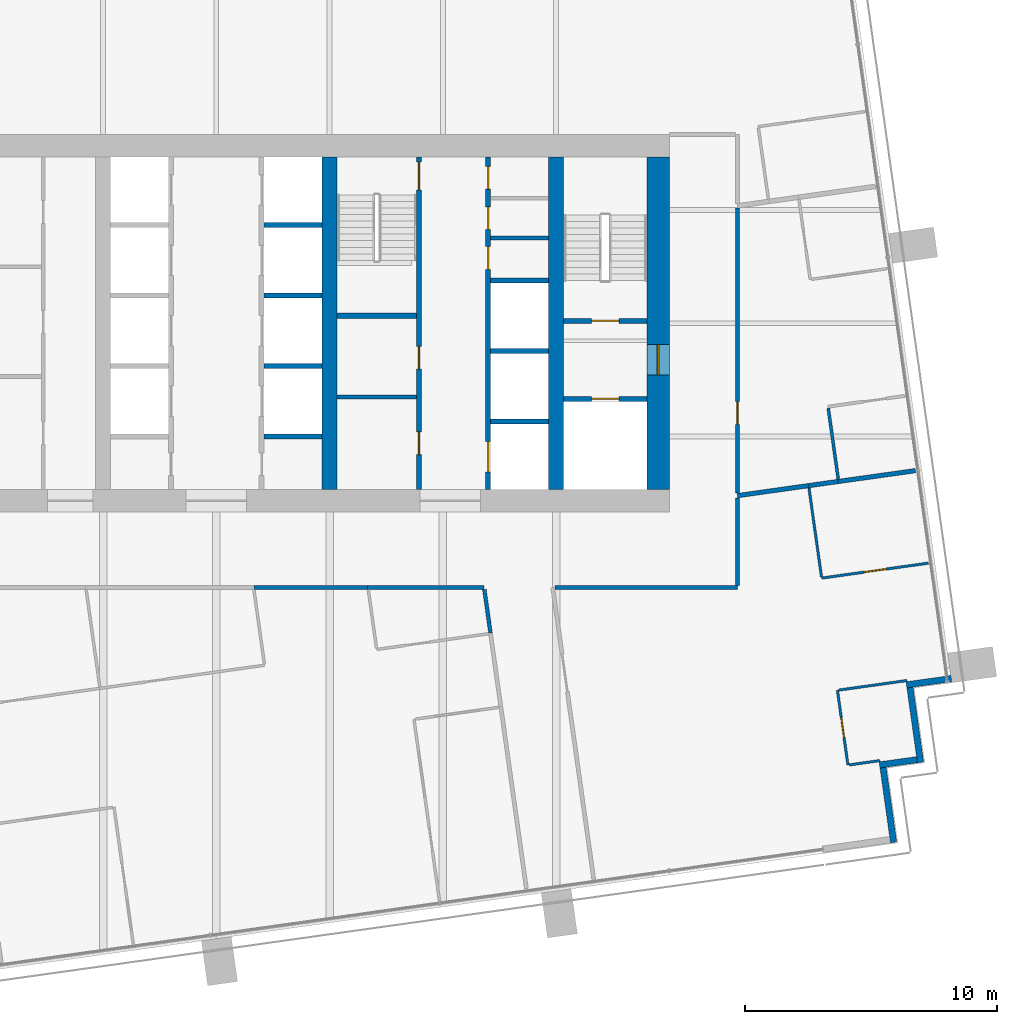
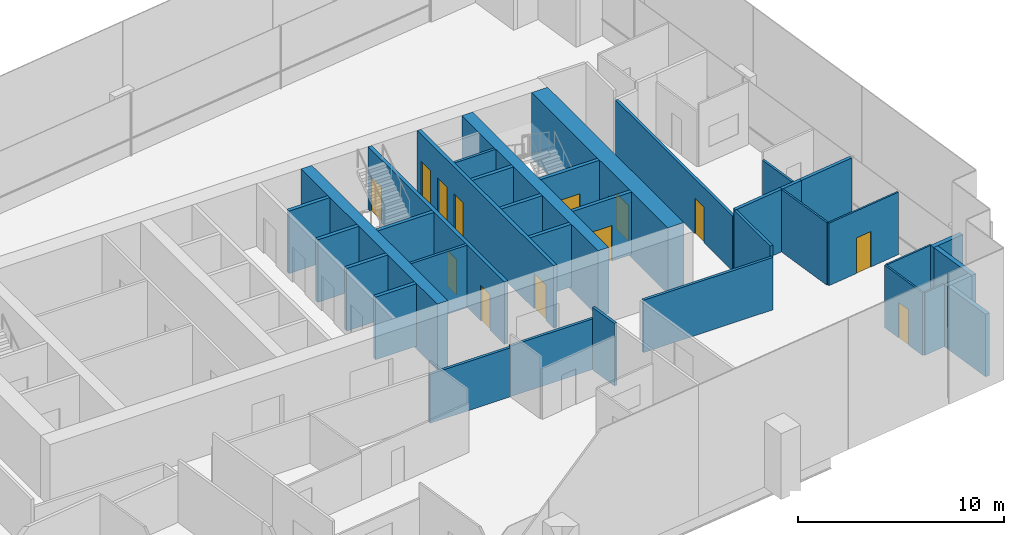
# One storey, part 11 of 17: 36 walls, 13 doors, 13 openings.
"""IFC4 building model written with IfcOpenShell, lengths in metres."""

from ifc_helpers import new_model, si_unit, direction, frame, frame_2d, origin, place, context, subcontext, project, spatial, rectangle, extrude, material, layer, layer_set, type_object, element, fill, save


model = new_model("IFC4")

# Units and contexts
model_context = context("Model", 3, precision=1e-05, world=origin(), true_north=direction((0.0, 1.0)))
body_context = subcontext(model_context, "Body", "Model", "MODEL_VIEW")
ifc_project = project(units=[si_unit("LENGTHUNIT", "METRE"), si_unit("AREAUNIT", "SQUARE_METRE"), si_unit("VOLUMEUNIT", "CUBIC_METRE"), si_unit("PLANEANGLEUNIT", "RADIAN"), si_unit("MASSUNIT", "GRAM", prefix="KILO")], contexts=[model_context])

# Site, building, storey
site_placement = place(None, origin())
site = spatial("IfcSite", under=ifc_project, at=site_placement, CompositionType="ELEMENT")
building_placement = place(site_placement, origin())
building = spatial("IfcBuilding", under=site, at=building_placement, Name="Rattan Terrace Tower", CompositionType="ELEMENT")
storey_placement = place(building_placement, frame((0.0, 0.0, 180.199951171875)))
storey = spatial("IfcBuildingStorey", under=building, at=storey_placement, Name="L41", CompositionType="ELEMENT", Elevation=180.199951171875)

# Walls
ifc_material_1 = material(Name="Gypsum board partition")
ifc_layer_1 = layer(ifc_material_1, 0.14990234375)
ifc_layer_set_1 = layer_set([ifc_layer_1], Name="Core partition 150")
wall_type_1 = type_object("IfcWallType", Name="Core partition 150", PredefinedType="PARTITIONING", material=ifc_layer_set_1)
wall_1_placement = place(storey_placement, frame((4.800048828125, -2.927978515625, 0.0), z_axis=(0.0, 0.0, 1.0), x_axis=(1.0, 0.0, 0.0)))
element("IfcWall", 1, at=wall_1_placement, inside=storey, type_object=wall_type_1, Name="Toilet wall", PredefinedType="PARTITIONING", context=body_context, shape_type="SweptSolid", body=[
    extrude(rectangle(XDim=3.14990234375, YDim=0.14990234375, at=frame_2d((1.574951171875, 0.0))), origin(), (0.0, 0.0, 1.0), 3.699951171875),
])
wall_2_placement = place(storey_placement, frame((10.89990234375, 3.384033203125, 0.0), z_axis=(0.0, 0.0, 1.0), x_axis=(1.0, 0.0, 0.0)))
element("IfcWall", 2, at=wall_2_placement, inside=storey, type_object=wall_type_1, Name="Riser room wall", PredefinedType="PARTITIONING", context=body_context, shape_type="SweptSolid", body=[
    extrude(rectangle(XDim=2.300048828125, YDim=0.14990234375, at=frame_2d((1.14990234375, 0.0))), origin(), (0.0, 0.0, 1.0), 3.699951171875),
])

# Wall, opening, door
ifc_material_2 = material(Name="Gypsum board partition")
ifc_layer_2 = layer(ifc_material_2, 0.199951171875)
ifc_layer_set_2 = layer_set([ifc_layer_2], Name="Core partition 200")
wall_type_2 = type_object("IfcWallType", Name="Core partition 200", PredefinedType="PARTITIONING", material=ifc_layer_set_2)
wall_3_placement = place(storey_placement, frame((13.800048828125, -3.0, 0.0), z_axis=(0.0, 0.0, 1.0), x_axis=(1.0, 0.0, 0.0)))
wall_3 = element("IfcWall", 3, at=wall_3_placement, inside=storey, type_object=wall_type_2, Name="Fire-fighting lobby wall", PredefinedType="PARTITIONING", context=body_context, shape_type="SweptSolid", body=[
    extrude(rectangle(XDim=3.300048828125, YDim=0.199951171875, at=frame_2d((1.64990234375, 0.0))), origin(), (0.0, 0.0, 1.0), 3.699951171875),
])
opening_1_placement = place(wall_3_placement, frame((1.10009765625, 0.0, 0.0)))
opening_1 = element("IfcOpeningElement", 4, at=opening_1_placement, cuts=wall_3, Name="Opening L41-LD-FF2", PredefinedType="OPENING", context=body_context, shape_type="SweptSolid", body=[
    extrude(rectangle(XDim=1.10009765625, YDim=2.10009765625, at=frame_2d((0.550048828125, 1.050048828125))), frame((0.0, 0.110595703125, 0.0), z_axis=(0.0, -1.0, 0.0), x_axis=(1.0, 0.0, 0.0)), (0.0, 0.0, 1.0), 0.220947265625),
])
ifc_material_3 = material(Name="Brushed stainless landing door panel")
door_type_1 = type_object("IfcDoorType", Name="Core lift landing door 1100", OperationType="DOUBLE_DOOR_SLIDING", PredefinedType="DOOR", material=ifc_material_3)
door_1_placement = place(opening_1_placement, origin())
door_1 = element("IfcDoor", 5, at=door_1_placement, inside=storey, type_object=door_type_1, Name="Door L41-LD-FF2", OperationType="DOUBLE_DOOR_SLIDING", OverallHeight=2.10009765625, OverallWidth=1.10009765625, PredefinedType="DOOR", context=body_context, shape_type="SweptSolid", body=[
    extrude(rectangle(XDim=1.10009765625, YDim=2.10009765625, at=frame_2d((0.550048828125, 1.050048828125))), frame((0.0, 0.02490234375, 0.0), z_axis=(0.0, -1.0, 0.0), x_axis=(1.0, 0.0, 0.0)), (0.0, 0.0, 1.0), 0.050048828125),
])
fill(opening_1, door_1)

wall_4_placement = place(storey_placement, frame((13.800048828125, 0.10009765625, 0.0), z_axis=(0.0, 0.0, 1.0), x_axis=(1.0, 0.0, 0.0)))
wall_4 = element("IfcWall", 6, at=wall_4_placement, inside=storey, type_object=wall_type_2, Name="Stair enclosure wall", PredefinedType="PARTITIONING", context=body_context, shape_type="SweptSolid", body=[
    extrude(rectangle(XDim=3.300048828125, YDim=0.199951171875, at=frame_2d((1.64990234375, 0.0))), origin(), (0.0, 0.0, 1.0), 3.699951171875),
])
opening_2_placement = place(wall_4_placement, frame((1.10009765625, 0.0, 0.0)))
opening_2 = element("IfcOpeningElement", 7, at=opening_2_placement, cuts=wall_4, Name="Opening L41-D004", PredefinedType="OPENING", context=body_context, shape_type="SweptSolid", body=[
    extrude(rectangle(XDim=1.10009765625, YDim=2.10009765625, at=frame_2d((0.550048828125, 1.050048828125))), frame((0.0, 0.110595703125, 0.0), z_axis=(0.0, -1.0, 0.0), x_axis=(1.0, 0.0, 0.0)), (0.0, 0.0, 1.0), 0.220947265625),
])
ifc_material_4 = material(Name="Hollow-metal fire door leaf")
door_type_2 = type_object("IfcDoorType", Name="Core stair door 1100", OperationType="NOTDEFINED", PredefinedType="DOOR", material=ifc_material_4)
door_2_placement = place(opening_2_placement, origin())
door_2 = element("IfcDoor", 8, at=door_2_placement, inside=storey, type_object=door_type_2, Name="Door L41-D004", OperationType="SINGLE_SWING_RIGHT", OverallHeight=2.10009765625, OverallWidth=1.10009765625, PredefinedType="DOOR", context=body_context, shape_type="SweptSolid", body=[
    extrude(rectangle(XDim=1.10009765625, YDim=2.10009765625, at=frame_2d((0.550048828125, 1.050048828125))), frame((0.0, 0.02490234375, 0.0), z_axis=(0.0, -1.0, 0.0), x_axis=(1.0, 0.0, 0.0)), (0.0, 0.0, 1.0), 0.050048828125),
])
fill(opening_2, door_2)

# Wall, openings, doors
wall_5_placement = place(storey_placement, frame((8.050048828125, -6.60009765625, 0.0), z_axis=(0.0, 0.0, 1.0), x_axis=(0.0, 1.0, 0.0)))
wall_5 = element("IfcWall", 9, at=wall_5_placement, inside=storey, type_object=wall_type_2, Name="Lobby wall west", PredefinedType="PARTITIONING", context=body_context, shape_type="SweptSolid", body=[
    extrude(rectangle(XDim=13.2001953125, YDim=0.199951171875, at=frame_2d((6.60009765625, 0.0))), origin(), (0.0, 0.0, 1.0), 3.699951171875),
])
opening_3_placement = place(wall_5_placement, frame((1.385986328125, 0.0, 0.0)))
opening_3 = element("IfcOpeningElement", 10, at=opening_3_placement, cuts=wall_5, Name="Opening L41-D012", PredefinedType="OPENING", context=body_context, shape_type="SweptSolid", body=[
    extrude(rectangle(XDim=0.89990234375, YDim=2.10009765625, at=frame_2d((0.449951171875, 1.050048828125))), frame((0.0, 0.110595703125, 0.0), z_axis=(0.0, -1.0, 0.0), x_axis=(1.0, 0.0, 0.0)), (0.0, 0.0, 1.0), 0.220947265625),
])
opening_4_placement = place(wall_5_placement, frame((4.785888671875, 0.0, 0.0)))
opening_4 = element("IfcOpeningElement", 11, at=opening_4_placement, cuts=wall_5, Name="Opening L41-D013", PredefinedType="OPENING", context=body_context, shape_type="SweptSolid", body=[
    extrude(rectangle(XDim=0.89990234375, YDim=2.10009765625, at=frame_2d((0.449951171875, 1.050048828125))), frame((0.0, 0.110595703125, 0.0), z_axis=(0.0, -1.0, 0.0), x_axis=(1.0, 0.0, 0.0)), (0.0, 0.0, 1.0), 0.220947265625),
])
opening_5_placement = place(wall_5_placement, frame((11.89990234375, 0.0, 0.0)))
opening_5 = element("IfcOpeningElement", 12, at=opening_5_placement, cuts=wall_5, Name="Opening L41-D014", PredefinedType="OPENING", context=body_context, shape_type="SweptSolid", body=[
    extrude(rectangle(XDim=1.10009765625, YDim=2.10009765625, at=frame_2d((0.550048828125, 1.050048828125))), frame((0.0, 0.110595703125, 0.0), z_axis=(0.0, -1.0, 0.0), x_axis=(1.0, 0.0, 0.0)), (0.0, 0.0, 1.0), 0.220947265625),
])
door_3_placement = place(opening_5_placement, origin())
door_3 = element("IfcDoor", 13, at=door_3_placement, inside=storey, type_object=door_type_2, Name="Door L41-D014", OperationType="SINGLE_SWING_LEFT", OverallHeight=2.10009765625, OverallWidth=1.10009765625, PredefinedType="DOOR", context=body_context, shape_type="SweptSolid", body=[
    extrude(rectangle(XDim=1.10009765625, YDim=2.10009765625, at=frame_2d((0.550048828125, 1.050048828125))), frame((0.0, 0.02490234375, 0.0), z_axis=(0.0, -1.0, 0.0), x_axis=(1.0, 0.0, 0.0)), (0.0, 0.0, 1.0), 0.050048828125),
])
fill(opening_5, door_3)
ifc_material_5 = material(Name="Hollow-metal fire door leaf")
door_type_3 = type_object("IfcDoorType", Name="Core toilet door 900", OperationType="NOTDEFINED", PredefinedType="DOOR", material=ifc_material_5)
door_4_placement = place(opening_3_placement, origin())
door_4 = element("IfcDoor", 14, at=door_4_placement, inside=storey, type_object=door_type_3, Name="Door L41-D012", OperationType="SINGLE_SWING_LEFT", OverallHeight=2.10009765625, OverallWidth=0.89990234375, PredefinedType="DOOR", context=body_context, shape_type="SweptSolid", body=[
    extrude(rectangle(XDim=0.89990234375, YDim=2.10009765625, at=frame_2d((0.449951171875, 1.050048828125))), frame((0.0, 0.02490234375, 0.0), z_axis=(0.0, -1.0, 0.0), x_axis=(1.0, 0.0, 0.0)), (0.0, 0.0, 1.0), 0.050048828125),
])
fill(opening_3, door_4)
door_5_placement = place(opening_4_placement, origin())
door_5 = element("IfcDoor", 15, at=door_5_placement, inside=storey, type_object=door_type_3, Name="Door L41-D013", OperationType="SINGLE_SWING_RIGHT", OverallHeight=2.10009765625, OverallWidth=0.89990234375, PredefinedType="DOOR", context=body_context, shape_type="SweptSolid", body=[
    extrude(rectangle(XDim=0.89990234375, YDim=2.10009765625, at=frame_2d((0.449951171875, 1.050048828125))), frame((0.0, 0.02490234375, 0.0), z_axis=(0.0, -1.0, 0.0), x_axis=(1.0, 0.0, 0.0)), (0.0, 0.0, 1.0), 0.050048828125),
])
fill(opening_4, door_5)

# Wall
wall_6_placement = place(storey_placement, frame((4.800048828125, 0.300048828125, 0.0), z_axis=(0.0, 0.0, 1.0), x_axis=(1.0, 0.0, 0.0)))
element("IfcWall", 16, at=wall_6_placement, inside=storey, type_object=wall_type_2, Name="Stair enclosure wall", PredefinedType="PARTITIONING", context=body_context, shape_type="SweptSolid", body=[
    extrude(rectangle(XDim=3.14990234375, YDim=0.199951171875, at=frame_2d((1.574951171875, 0.0))), origin(), (0.0, 0.0, 1.0), 3.699951171875),
])

# Wall, opening, door
ifc_material_6 = material(Name="Concrete C60/75", Category="concrete")
ifc_layer_3 = layer(ifc_material_6, 0.89990234375)
ifc_layer_set_3 = layer_set([ifc_layer_3], Name="Core ring wall 900 C60/75")
wall_type_3 = type_object("IfcWallType", Name="Core ring wall 900 C60/75", PredefinedType="SHEAR", material=ifc_layer_set_3)
wall_7_placement = place(storey_placement, frame((17.550048828125, -6.60009765625, -0.199951171875), z_axis=(0.0, 0.0, 1.0), x_axis=(0.0, 1.0, 0.0)))
wall_7 = element("IfcWall", 17, at=wall_7_placement, inside=storey, type_object=wall_type_3, Name="Rear core wall east", PredefinedType="SHEAR", context=body_context, shape_type="SweptSolid", body=[
    extrude(rectangle(XDim=13.2001953125, YDim=0.89990234375, at=frame_2d((6.60009765625, 0.0))), origin(), (0.0, 0.0, 1.0), 3.89990234375),
])
opening_6_placement = place(wall_7_placement, frame((4.550048828125, 0.0, 0.199951171875)))
opening_6 = element("IfcOpeningElement", 18, at=opening_6_placement, cuts=wall_7, Name="Opening L41-D003", PredefinedType="OPENING", context=body_context, shape_type="SweptSolid", body=[
    extrude(rectangle(XDim=1.199951171875, YDim=2.10009765625, at=frame_2d((0.60009765625, 1.050048828125))), frame((0.0, 0.46044921875, 0.0), z_axis=(0.0, -1.0, 0.0), x_axis=(1.0, 0.0, 0.0)), (0.0, 0.0, 1.0), 0.9208984375),
])
ifc_material_7 = material(Name="Hollow-metal fire door leaf")
door_type_4 = type_object("IfcDoorType", Name="Core fire-fighting lobby door 1200", OperationType="NOTDEFINED", PredefinedType="DOOR", material=ifc_material_7)
door_6_placement = place(opening_6_placement, origin())
door_6 = element("IfcDoor", 19, at=door_6_placement, inside=storey, type_object=door_type_4, Name="Door L41-D003", OperationType="SINGLE_SWING_LEFT", OverallHeight=2.10009765625, OverallWidth=1.199951171875, PredefinedType="DOOR", context=body_context, shape_type="SweptSolid", body=[
    extrude(rectangle(XDim=1.199951171875, YDim=2.10009765625, at=frame_2d((0.60009765625, 1.050048828125))), frame((0.0, 0.02490234375, 0.0), z_axis=(0.0, -1.0, 0.0), x_axis=(1.0, 0.0, 0.0)), (0.0, 0.0, 1.0), 0.050048828125),
])
fill(opening_6, door_6)

# Walls
ifc_material_8 = material(Name="Concrete C60/75", Category="concrete")
ifc_layer_4 = layer(ifc_material_8, 0.60009765625)
ifc_layer_set_4 = layer_set([ifc_layer_4], Name="Core spine wall 600 C60/75")
wall_type_4 = type_object("IfcWallType", Name="Core spine wall 600 C60/75", PredefinedType="SHEAR", material=ifc_layer_set_4)
for number, where, z_axis, x_axis, name in (
    (20, (4.5, -6.60009765625, -0.199951171875), (0.0, 0.0, 1.0), (0.0, 1.0, 0.0), "Core spine wall 3"),
    (21, (13.5, -6.60009765625, -0.199951171875), (0.0, 0.0, 1.0), (0.0, 1.0, 0.0), "Core spine wall 4"),
):
    element("IfcWall", number, at=place(storey_placement, frame(where, z_axis=z_axis, x_axis=x_axis)), inside=storey, type_object=wall_type_4, Name=name, PredefinedType="SHEAR", context=body_context, shape_type="SweptSolid", body=[
        extrude(rectangle(XDim=13.2001953125, YDim=0.60009765625, at=frame_2d((6.60009765625, 0.0))), origin(), (0.0, 0.0, 1.0), 3.89990234375),
    ])
ifc_material_9 = material(Name="Insulated aluminium-clad stud wall", Category="aluminium")
ifc_layer_5 = layer(ifc_material_9, 0.25)
ifc_layer_set_5 = layer_set([ifc_layer_5], Name="Facade Riser Wall 250")
wall_type_5 = type_object("IfcWallType", Name="Facade Riser Wall 250", PredefinedType="SOLIDWALL", material=ifc_layer_set_5)
wall_8_placement = place(storey_placement, frame((26.9052734375, -20.6220703125, 0.0), z_axis=(0.0, 0.0, 1.0), x_axis=(-0.139313431826, 0.990248336385, 0.0)))
element("IfcWall", 22, at=wall_8_placement, inside=storey, type_object=wall_type_5, Name="Riser wall L41-2", PredefinedType="SOLIDWALL", context=body_context, shape_type="SweptSolid", body=[
    extrude(rectangle(XDim=3.000244140625, YDim=0.25, at=frame_2d((1.5, 0.0))), origin(), (0.0, 0.0, 1.0), 3.699951171875),
])
wall_9_placement = place(storey_placement, frame((26.34619140625, -17.54443359375, 0.0), z_axis=(0.0, 0.0, 1.0), x_axis=(0.990368090482, 0.13845954411, 0.0)))
element("IfcWall", 23, at=wall_9_placement, inside=storey, type_object=wall_type_5, Name="Riser wall L41-3", PredefinedType="SOLIDWALL", context=body_context, shape_type="SweptSolid", body=[
    extrude(rectangle(XDim=1.50048828125, YDim=0.25, at=frame_2d((0.750244140625, 0.0))), origin(), (0.0, 0.0, 1.0), 3.699951171875),
])
wall_10_placement = place(storey_placement, frame((27.973388671875, -17.443115234375, 0.0), z_axis=(0.0, 0.0, 1.0), x_axis=(-0.139313431826, 0.990248336385, 0.0)))
element("IfcWall", 24, at=wall_10_placement, inside=storey, type_object=wall_type_5, Name="Riser wall L41-4", PredefinedType="SOLIDWALL", context=body_context, shape_type="SweptSolid", body=[
    extrude(rectangle(XDim=3.000244140625, YDim=0.25, at=frame_2d((1.5, 0.0))), origin(), (0.0, 0.0, 1.0), 3.699951171875),
])
wall_11_placement = place(storey_placement, frame((27.414306640625, -14.36572265625, 0.0), z_axis=(0.0, 0.0, 1.0), x_axis=(0.990256286673, 0.139256908998, 0.0)))
element("IfcWall", 25, at=wall_11_placement, inside=storey, type_object=wall_type_5, Name="Riser wall L41-5", PredefinedType="SOLIDWALL", context=body_context, shape_type="SweptSolid", body=[
    extrude(rectangle(XDim=1.800537109375, YDim=0.25, at=frame_2d((0.900390625, 0.0))), origin(), (0.0, 0.0, 1.0), 3.699951171875),
])
ifc_material_10 = material(Name="Double steel stud acoustic partition, gypsum board, mineral wool, fire rated", Category="steel")
ifc_layer_6 = layer(ifc_material_10, 0.179931640625)
ifc_layer_set_6 = layer_set([ifc_layer_6], Name="Floors Acoustic Party Wall 180")
wall_type_6 = type_object("IfcWallType", Name="Floors Acoustic Party Wall 180", PredefinedType="PARTITIONING", material=ifc_layer_set_6)
wall_12_placement = place(storey_placement, frame((20.699951171875, -6.846923828125, 0.0), z_axis=(0.0, 0.0, 1.0), x_axis=(0.990258051292, 0.139244360214, 0.0)))
element("IfcWall", 26, at=wall_12_placement, inside=storey, type_object=wall_type_6, Name="pt-L41-036", PredefinedType="PARTITIONING", context=body_context, shape_type="SweptSolid", body=[
    extrude(rectangle(XDim=2.85791015625, YDim=0.179931640625, at=frame_2d((1.428955078125, 0.0))), origin(), (0.0, 0.0, 1.0), 3.699951171875),
])
wall_13_placement = place(storey_placement, frame((23.530029296875, -6.448974609375, 0.0), z_axis=(0.0, 0.0, 1.0), x_axis=(0.990293977152, 0.138988628372, 0.0)))
element("IfcWall", 27, at=wall_13_placement, inside=storey, type_object=wall_type_6, Name="pt-L41-037", PredefinedType="PARTITIONING", context=body_context, shape_type="SweptSolid", body=[
    extrude(rectangle(XDim=1.180419921875, YDim=0.179931640625, at=frame_2d((0.59033203125, 0.0))), origin(), (0.0, 0.0, 1.0), 3.699951171875),
])
wall_14_placement = place(storey_placement, frame((24.698974609375, -6.284912109375, 0.0), z_axis=(0.0, 0.0, 1.0), x_axis=(0.990293026317, 0.138995402899, 0.0)))
element("IfcWall", 28, at=wall_14_placement, inside=storey, type_object=wall_type_6, Name="pt-L41-038", PredefinedType="PARTITIONING", context=body_context, shape_type="SweptSolid", body=[
    extrude(rectangle(XDim=3.10009765625, YDim=0.179931640625, at=frame_2d((1.550048828125, 0.0))), origin(), (0.0, 0.0, 1.0), 3.699951171875),
])

# Wall, opening, door
ifc_material_11 = material(Name="Gypsum board partition on steel studs", Category="steel")
ifc_layer_7 = layer(ifc_material_11, 0.10009765625)
ifc_layer_set_7 = layer_set([ifc_layer_7], Name="Floors Partition 100")
wall_type_7 = type_object("IfcWallType", Name="Floors Partition 100", PredefinedType="PARTITIONING", material=ifc_layer_set_7)
wall_15_placement = place(storey_placement, frame((24.673095703125, -14.5791015625, 0.0), z_axis=(0.0, 0.0, 1.0), x_axis=(0.138994228812, -0.990293191109, 0.0)))
wall_15 = element("IfcWall", 29, at=wall_15_placement, inside=storey, type_object=wall_type_7, Name="pt-L41-031", PredefinedType="PARTITIONING", context=body_context, shape_type="SweptSolid", body=[
    extrude(rectangle(XDim=3.0, YDim=0.10009765625, at=frame_2d((1.5, 0.0))), origin(), (0.0, 0.0, 1.0), 3.699951171875),
])
opening_7_placement = place(wall_15_placement, frame((1.10009765625, 0.0, 0.0)))
opening_7 = element("IfcOpeningElement", 30, at=opening_7_placement, cuts=wall_15, Name="Opening L41-D104", PredefinedType="OPENING", context=body_context, shape_type="SweptSolid", body=[
    extrude(rectangle(XDim=0.800048828125, YDim=2.10009765625, at=frame_2d((0.39990234375, 1.050048828125))), frame((0.0, 0.060546875, 0.0), z_axis=(0.0, -1.0, 0.0), x_axis=(1.0, 0.0, 0.0)), (0.0, 0.0, 1.0), 0.12109375),
])
ifc_material_12 = material(Name="Solid core timber door, painted", Category="wood")
door_type_5 = type_object("IfcDoorType", Name="Floors Store Door 800x2100", OperationType="NOTDEFINED", PredefinedType="DOOR", material=ifc_material_12)
door_7_placement = place(opening_7_placement, origin())
door_7 = element("IfcDoor", 31, at=door_7_placement, inside=storey, type_object=door_type_5, Name="d-L41-104", OperationType="SINGLE_SWING_LEFT", OverallHeight=2.10009765625, OverallWidth=0.800048828125, PredefinedType="DOOR", context=body_context, shape_type="SweptSolid", body=[
    extrude(rectangle(XDim=0.800048828125, YDim=2.10009765625, at=frame_2d((0.39990234375, 1.050048828125))), frame((0.0, 0.02490234375, 0.0), z_axis=(0.0, -1.0, 0.0), x_axis=(1.0, 0.0, 0.0)), (0.0, 0.0, 1.0), 0.050048828125),
])
fill(opening_7, door_7)

# Walls
wall_16_placement = place(storey_placement, frame((25.139892578125, -17.5439453125, 0.0), z_axis=(0.0, 0.0, 1.0), x_axis=(0.990174663817, 0.139836100968, 0.0)))
element("IfcWall", 32, at=wall_16_placement, inside=storey, type_object=wall_type_7, Name="pt-L41-032", PredefinedType="PARTITIONING", context=body_context, shape_type="SweptSolid", body=[
    extrude(rectangle(XDim=1.22900390625, YDim=0.10009765625, at=frame_2d((0.614501953125, 0.0))), origin(), (0.0, 0.0, 1.0), 3.699951171875),
])
wall_17_placement = place(storey_placement, frame((27.445068359375, -14.18994140625, 0.0), z_axis=(0.0, 0.0, 1.0), x_axis=(-0.990299764824, -0.138947384969, 0.0)))
element("IfcWall", 33, at=wall_17_placement, inside=storey, type_object=wall_type_7, Name="pt-L41-033", PredefinedType="PARTITIONING", context=body_context, shape_type="SweptSolid", body=[
    extrude(rectangle(XDim=2.749755859375, YDim=0.10009765625, at=frame_2d((1.375, 0.0))), origin(), (0.0, 0.0, 1.0), 3.699951171875),
])
wall_18_placement = place(storey_placement, frame((23.5419921875, -6.5380859375, 0.0), z_axis=(0.0, 0.0, 1.0), x_axis=(0.139477964322, -0.990225175134, 0.0)))
element("IfcWall", 34, at=wall_18_placement, inside=storey, type_object=wall_type_7, Name="pt-L41-034", PredefinedType="PARTITIONING", context=body_context, shape_type="SweptSolid", body=[
    extrude(rectangle(XDim=3.57080078125, YDim=0.10009765625, at=frame_2d((1.785400390625, 0.0))), origin(), (0.0, 0.0, 1.0), 3.699951171875),
])

# Wall, opening, door
wall_19_placement = place(storey_placement, frame((24.047119140625, -10.123046875, 0.0), z_axis=(0.0, 0.0, 1.0), x_axis=(0.990283364174, 0.139064224876, 0.0)))
wall_19 = element("IfcWall", 35, at=wall_19_placement, inside=storey, type_object=wall_type_7, Name="pt-L41-035", PredefinedType="PARTITIONING", context=body_context, shape_type="SweptSolid", body=[
    extrude(rectangle(XDim=4.2783203125, YDim=0.10009765625, at=frame_2d((2.13916015625, 0.0))), origin(), (0.0, 0.0, 1.0), 3.699951171875),
])
opening_8_placement = place(wall_19_placement, frame((1.68896484375, 0.0, 0.0)))
opening_8 = element("IfcOpeningElement", 36, at=opening_8_placement, cuts=wall_19, Name="Opening L41-D105", PredefinedType="OPENING", context=body_context, shape_type="SweptSolid", body=[
    extrude(rectangle(XDim=0.89990234375, YDim=2.10009765625, at=frame_2d((0.449951171875, 1.050048828125))), frame((0.0, 0.060546875, 0.0), z_axis=(0.0, -1.0, 0.0), x_axis=(1.0, 0.0, 0.0)), (0.0, 0.0, 1.0), 0.12109375),
])
ifc_material_13 = material(Name="Solid core timber door, painted", Category="wood")
door_type_6 = type_object("IfcDoorType", Name="Floors Door 900x2100", OperationType="NOTDEFINED", PredefinedType="DOOR", material=ifc_material_13)
door_8_placement = place(opening_8_placement, origin())
door_8 = element("IfcDoor", 37, at=door_8_placement, inside=storey, type_object=door_type_6, Name="d-L41-105", OperationType="SINGLE_SWING_RIGHT", OverallHeight=2.10009765625, OverallWidth=0.89990234375, PredefinedType="DOOR", context=body_context, shape_type="SweptSolid", body=[
    extrude(rectangle(XDim=0.89990234375, YDim=2.10009765625, at=frame_2d((0.449951171875, 1.050048828125))), frame((0.0, 0.02490234375, 0.0), z_axis=(0.0, -1.0, 0.0), x_axis=(1.0, 0.0, 0.0)), (0.0, 0.0, 1.0), 0.050048828125),
])
fill(opening_8, door_8)

# Walls
ifc_material_14 = material(Name="Gypsum board partition on steel studs, fire rated", Category="steel")
ifc_layer_8 = layer(ifc_material_14, 0.14990234375)
ifc_layer_set_8 = layer_set([ifc_layer_8], Name="Floors Tenancy Wall 150")
wall_type_8 = type_object("IfcWallType", Name="Floors Tenancy Wall 150", PredefinedType="PARTITIONING", material=ifc_layer_set_8)
wall_20_placement = place(storey_placement, frame((20.699951171875, -10.5, 0.0), z_axis=(0.0, 0.0, 1.0), x_axis=(-1.0, 0.0, 0.0)))
element("IfcWall", 38, at=wall_20_placement, inside=storey, type_object=wall_type_8, Name="pt-L41-005", PredefinedType="PARTITIONING", context=body_context, shape_type="SweptSolid", body=[
    extrude(rectangle(XDim=7.2509765625, YDim=0.14990234375, at=frame_2d((3.62548828125, 0.0))), origin(), (0.0, 0.0, 1.0), 3.10009765625),
])
wall_21_placement = place(storey_placement, frame((20.699951171875, -6.93603515625, 0.0), z_axis=(0.0, 0.0, 1.0), x_axis=(0.0, -1.0, 0.0)))
element("IfcWall", 39, at=wall_21_placement, inside=storey, type_object=wall_type_8, Name="pt-L41-006", PredefinedType="PARTITIONING", context=body_context, shape_type="SweptSolid", body=[
    extrude(rectangle(XDim=3.489013671875, YDim=0.14990234375, at=frame_2d((1.74462890625, 0.0))), origin(), (0.0, 0.0, 1.0), 3.699951171875),
])

# Wall, opening, door
wall_22_placement = place(storey_placement, frame((20.699951171875, 4.575927734375, 0.0), z_axis=(0.0, 0.0, 1.0), x_axis=(0.0, -1.0, 0.0)))
wall_22 = element("IfcWall", 40, at=wall_22_placement, inside=storey, type_object=wall_type_8, Name="pt-L41-010", PredefinedType="PARTITIONING", context=body_context, shape_type="SweptSolid", body=[
    extrude(rectangle(XDim=11.322021484375, YDim=0.14990234375, at=frame_2d((5.6611328125, 0.0))), origin(), (0.0, 0.0, 1.0), 3.25),
])
opening_9_placement = place(wall_22_placement, frame((7.69091796875, 0.0, 0.0)))
opening_9 = element("IfcOpeningElement", 41, at=opening_9_placement, cuts=wall_22, Name="Opening L41-D107", PredefinedType="OPENING", context=body_context, shape_type="SweptSolid", body=[
    extrude(rectangle(XDim=0.89990234375, YDim=2.10009765625, at=frame_2d((0.449951171875, 1.050048828125))), frame((0.0, 0.08544921875, 0.0), z_axis=(0.0, -1.0, 0.0), x_axis=(1.0, 0.0, 0.0)), (0.0, 0.0, 1.0), 0.1708984375),
])
ifc_material_15 = material(Name="Steel fire door set", Category="steel")
door_type_7 = type_object("IfcDoorType", Name="Floors Fire Door FD30S 900x2100", OperationType="NOTDEFINED", PredefinedType="DOOR", material=ifc_material_15)
door_9_placement = place(opening_9_placement, origin())
door_9 = element("IfcDoor", 42, at=door_9_placement, inside=storey, type_object=door_type_7, Name="d-L41-107", OperationType="SINGLE_SWING_RIGHT", OverallHeight=2.10009765625, OverallWidth=0.89990234375, PredefinedType="DOOR", context=body_context, shape_type="SweptSolid", body=[
    extrude(rectangle(XDim=0.89990234375, YDim=2.10009765625, at=frame_2d((0.449951171875, 1.050048828125))), frame((0.0, 0.02490234375, 0.0), z_axis=(0.0, -1.0, 0.0), x_axis=(1.0, 0.0, 0.0)), (0.0, 0.0, 1.0), 0.050048828125),
])
fill(opening_9, door_9)

# Walls
wall_23_placement = place(storey_placement, frame((6.006103515625, -10.5, 0.0), z_axis=(0.0, 0.0, 1.0), x_axis=(-1.0, 0.0, 0.0)))
element("IfcWall", 43, at=wall_23_placement, inside=storey, type_object=wall_type_8, Name="pt-L41-016", PredefinedType="PARTITIONING", context=body_context, shape_type="SweptSolid", body=[
    extrude(rectangle(XDim=4.504150390625, YDim=0.14990234375, at=frame_2d((2.251953125, 0.0))), origin(), (0.0, 0.0, 1.0), 2.900146484375),
])
wall_24_placement = place(storey_placement, frame((10.636962890625, -10.5, 0.0), z_axis=(0.0, 0.0, 1.0), x_axis=(-1.0, 0.0, 0.0)))
element("IfcWall", 44, at=wall_24_placement, inside=storey, type_object=wall_type_8, Name="pt-L41-023", PredefinedType="PARTITIONING", context=body_context, shape_type="SweptSolid", body=[
    extrude(rectangle(XDim=4.630859375, YDim=0.14990234375, at=frame_2d((2.3154296875, 0.0))), origin(), (0.0, 0.0, 1.0), 3.0),
])
wall_25_placement = place(storey_placement, frame((10.89111328125, -12.301025390625, 0.0), z_axis=(0.0, 0.0, 1.0), x_axis=(-0.139344862723, 0.990243914009, 0.0)))
element("IfcWall", 45, at=wall_25_placement, inside=storey, type_object=wall_type_8, Name="pt-L41-024", PredefinedType="PARTITIONING", context=body_context, shape_type="SweptSolid", body=[
    extrude(rectangle(XDim=1.7451171875, YDim=0.14990234375, at=frame_2d((0.87255859375, 0.0))), origin(), (0.0, 0.0, 1.0), 3.699951171875),
])
ifc_material_16 = material(Name="Moisture resistant gypsum board partition on steel studs with service cavity", Category="steel")
ifc_layer_9 = layer(ifc_material_16, 0.1201171875)
ifc_layer_set_9 = layer_set([ifc_layer_9], Name="Floors Wet Wall 120")
wall_type_9 = type_object("IfcWallType", Name="Floors Wet Wall 120", PredefinedType="PARTITIONING", material=ifc_layer_set_9)
wall_26_placement = place(storey_placement, frame((24.30908203125, -3.37109375, 0.0), z_axis=(0.0, 0.0, 1.0), x_axis=(0.139298147854, -0.990250486495, 0.0)))
element("IfcWall", 46, at=wall_26_placement, inside=storey, type_object=wall_type_9, Name="pt-L41-040", PredefinedType="PARTITIONING", context=body_context, shape_type="SweptSolid", body=[
    extrude(rectangle(XDim=2.849853515625, YDim=0.1201171875, at=frame_2d((1.4248046875, 0.0))), origin(), (0.0, 0.0, 1.0), 3.25),
])
ifc_material_17 = material(Name="Gypsum shaft wall system")
ifc_layer_10 = layer(ifc_material_17, 0.199951171875)
ifc_layer_set_10 = layer_set([ifc_layer_10], Name="Lift shaft wall 200")
wall_type_10 = type_object("IfcWallType", Name="Lift shaft wall 200", PredefinedType="PARTITIONING", material=ifc_layer_set_10)
for number, where, z_axis, x_axis, name in (
    (47, (1.89990234375, -1.699951171875, 0.0), (0.0, 0.0, 1.0), (1.0, 0.0, 0.0), "Lift shaft wall"),
    (48, (1.89990234375, 1.10009765625, 0.0), (0.0, 0.0, 1.0), (1.0, 0.0, 0.0), "Lift shaft wall"),
    (49, (1.89990234375, 3.89990234375, 0.0), (0.0, 0.0, 1.0), (1.0, 0.0, 0.0), "Lift shaft wall"),
    (50, (1.89990234375, -4.5, 0.0), (0.0, 0.0, 1.0), (1.0, 0.0, 0.0), "Lift shaft wall"),
):
    element("IfcWall", number, at=place(storey_placement, frame(where, z_axis=z_axis, x_axis=x_axis)), inside=storey, type_object=wall_type_10, Name=name, PredefinedType="PARTITIONING", context=body_context, shape_type="SweptSolid", body=[
        extrude(rectangle(XDim=2.300048828125, YDim=0.199951171875, at=frame_2d((1.14990234375, 0.0))), origin(), (0.0, 0.0, 1.0), 3.699951171875),
    ])

# Wall, openings, doors
wall_27_placement = place(storey_placement, frame((10.800048828125, -6.60009765625, 0.0), z_axis=(0.0, 0.0, 1.0), x_axis=(0.0, 1.0, 0.0)))
wall_27 = element("IfcWall", 51, at=wall_27_placement, inside=storey, type_object=wall_type_10, Name="Lift shaft front wall", PredefinedType="PARTITIONING", context=body_context, shape_type="SweptSolid", body=[
    extrude(rectangle(XDim=13.2001953125, YDim=0.199951171875, at=frame_2d((6.60009765625, 0.0))), origin(), (0.0, 0.0, 1.0), 3.699951171875),
])
opening_10_placement = place(wall_27_placement, frame((0.699951171875, 0.0, 0.0)))
opening_10 = element("IfcOpeningElement", 52, at=opening_10_placement, cuts=wall_27, Name="Opening L41-LD-SV1", PredefinedType="OPENING", context=body_context, shape_type="SweptSolid", body=[
    extrude(rectangle(XDim=1.199951171875, YDim=2.10009765625, at=frame_2d((0.60009765625, 1.050048828125))), frame((0.0, 0.110595703125, 0.0), z_axis=(0.0, -1.0, 0.0), x_axis=(1.0, 0.0, 0.0)), (0.0, 0.0, 1.0), 0.220947265625),
])
opening_11_placement = place(wall_27_placement, frame((8.741943359375, 0.0, 0.0)))
opening_11 = element("IfcOpeningElement", 53, at=opening_11_placement, cuts=wall_27, Name="Opening L41-D016", PredefinedType="OPENING", context=body_context, shape_type="SweptSolid", body=[
    extrude(rectangle(XDim=0.89990234375, YDim=2.10009765625, at=frame_2d((0.449951171875, 1.050048828125))), frame((0.0, 0.110595703125, 0.0), z_axis=(0.0, -1.0, 0.0), x_axis=(1.0, 0.0, 0.0)), (0.0, 0.0, 1.0), 0.220947265625),
])
opening_12_placement = place(wall_27_placement, frame((10.325927734375, 0.0, 0.0)))
opening_12 = element("IfcOpeningElement", 54, at=opening_12_placement, cuts=wall_27, Name="Opening L41-D017", PredefinedType="OPENING", context=body_context, shape_type="SweptSolid", body=[
    extrude(rectangle(XDim=0.89990234375, YDim=2.10009765625, at=frame_2d((0.449951171875, 1.050048828125))), frame((0.0, 0.110595703125, 0.0), z_axis=(0.0, -1.0, 0.0), x_axis=(1.0, 0.0, 0.0)), (0.0, 0.0, 1.0), 0.220947265625),
])
opening_13_placement = place(wall_27_placement, frame((11.93408203125, 0.0, 0.0)))
opening_13 = element("IfcOpeningElement", 55, at=opening_13_placement, cuts=wall_27, Name="Opening L41-D018", PredefinedType="OPENING", context=body_context, shape_type="SweptSolid", body=[
    extrude(rectangle(XDim=0.89990234375, YDim=2.10009765625, at=frame_2d((0.449951171875, 1.050048828125))), frame((0.0, 0.110595703125, 0.0), z_axis=(0.0, -1.0, 0.0), x_axis=(1.0, 0.0, 0.0)), (0.0, 0.0, 1.0), 0.220947265625),
])
ifc_material_18 = material(Name="Brushed stainless landing door panel")
door_type_8 = type_object("IfcDoorType", Name="Core lift landing door 1200", OperationType="DOUBLE_DOOR_SLIDING", PredefinedType="DOOR", material=ifc_material_18)
door_10_placement = place(opening_10_placement, origin())
door_10 = element("IfcDoor", 56, at=door_10_placement, inside=storey, type_object=door_type_8, Name="Door L41-LD-SV1", OperationType="DOUBLE_DOOR_SLIDING", OverallHeight=2.10009765625, OverallWidth=1.199951171875, PredefinedType="DOOR", context=body_context, shape_type="SweptSolid", body=[
    extrude(rectangle(XDim=1.199951171875, YDim=2.10009765625, at=frame_2d((0.60009765625, 1.050048828125))), frame((0.0, 0.02490234375, 0.0), z_axis=(0.0, -1.0, 0.0), x_axis=(1.0, 0.0, 0.0)), (0.0, 0.0, 1.0), 0.050048828125),
])
fill(opening_10, door_10)
ifc_material_19 = material(Name="Hollow-metal fire door leaf")
door_type_9 = type_object("IfcDoorType", Name="Core riser door 900", OperationType="NOTDEFINED", PredefinedType="DOOR", material=ifc_material_19)
door_11_placement = place(opening_11_placement, origin())
door_11 = element("IfcDoor", 57, at=door_11_placement, inside=storey, type_object=door_type_9, Name="Door L41-D016", OperationType="SINGLE_SWING_RIGHT", OverallHeight=2.10009765625, OverallWidth=0.89990234375, PredefinedType="DOOR", context=body_context, shape_type="SweptSolid", body=[
    extrude(rectangle(XDim=0.89990234375, YDim=2.10009765625, at=frame_2d((0.449951171875, 1.050048828125))), frame((0.0, 0.02490234375, 0.0), z_axis=(0.0, -1.0, 0.0), x_axis=(1.0, 0.0, 0.0)), (0.0, 0.0, 1.0), 0.050048828125),
])
fill(opening_11, door_11)
door_12_placement = place(opening_12_placement, origin())
door_12 = element("IfcDoor", 58, at=door_12_placement, inside=storey, type_object=door_type_9, Name="Door L41-D017", OperationType="SINGLE_SWING_LEFT", OverallHeight=2.10009765625, OverallWidth=0.89990234375, PredefinedType="DOOR", context=body_context, shape_type="SweptSolid", body=[
    extrude(rectangle(XDim=0.89990234375, YDim=2.10009765625, at=frame_2d((0.449951171875, 1.050048828125))), frame((0.0, 0.02490234375, 0.0), z_axis=(0.0, -1.0, 0.0), x_axis=(1.0, 0.0, 0.0)), (0.0, 0.0, 1.0), 0.050048828125),
])
fill(opening_12, door_12)
ifc_material_20 = material(Name="Hollow-metal fire door leaf")
door_type_10 = type_object("IfcDoorType", Name="Core service room door 900", OperationType="NOTDEFINED", PredefinedType="DOOR", material=ifc_material_20)
door_13_placement = place(opening_13_placement, origin())
door_13 = element("IfcDoor", 59, at=door_13_placement, inside=storey, type_object=door_type_10, Name="Door L41-D018", OperationType="SINGLE_SWING_RIGHT", OverallHeight=2.10009765625, OverallWidth=0.89990234375, PredefinedType="DOOR", context=body_context, shape_type="SweptSolid", body=[
    extrude(rectangle(XDim=0.89990234375, YDim=2.10009765625, at=frame_2d((0.449951171875, 1.050048828125))), frame((0.0, 0.02490234375, 0.0), z_axis=(0.0, -1.0, 0.0), x_axis=(1.0, 0.0, 0.0)), (0.0, 0.0, 1.0), 0.050048828125),
])
fill(opening_13, door_13)

# Walls
for number, where, z_axis, x_axis, name in (
    (60, (10.89990234375, -3.89990234375, 0.0), (0.0, 0.0, 1.0), (1.0, 0.0, 0.0), "Lift shaft wall"),
    (61, (10.89990234375, -1.10009765625, 0.0), (0.0, 0.0, 1.0), (1.0, 0.0, 0.0), "Lift shaft wall"),
    (62, (10.89990234375, 1.699951171875, 0.0), (0.0, 0.0, 1.0), (1.0, 0.0, 0.0), "Lift shaft wall"),
):
    element("IfcWall", number, at=place(storey_placement, frame(where, z_axis=z_axis, x_axis=x_axis)), inside=storey, type_object=wall_type_10, Name=name, PredefinedType="PARTITIONING", context=body_context, shape_type="SweptSolid", body=[
        extrude(rectangle(XDim=2.300048828125, YDim=0.199951171875, at=frame_2d((1.14990234375, 0.0))), origin(), (0.0, 0.0, 1.0), 3.699951171875),
    ])

save(model, "model.ifc")
